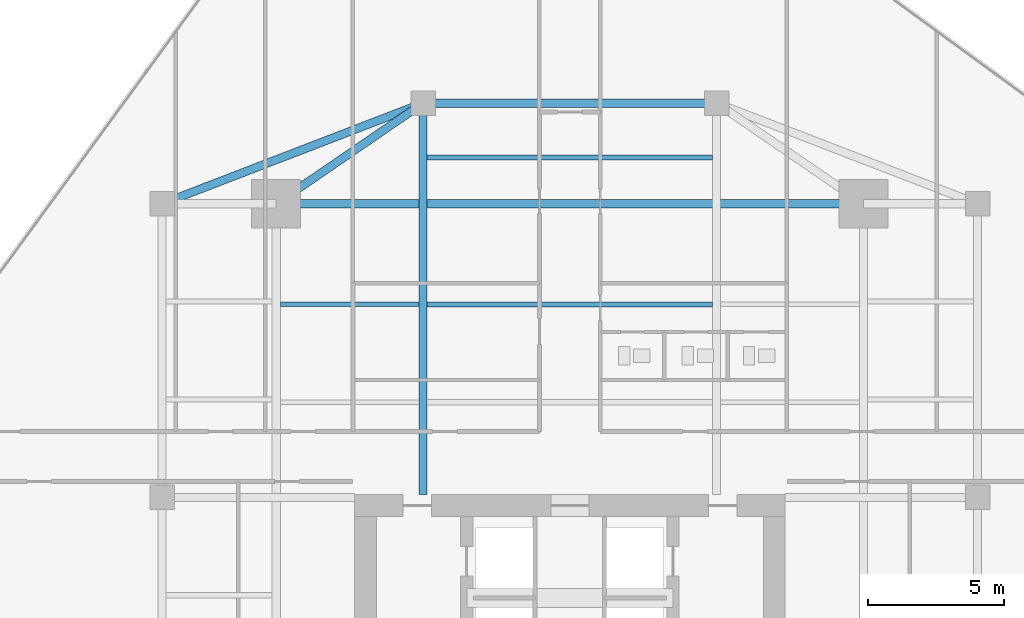
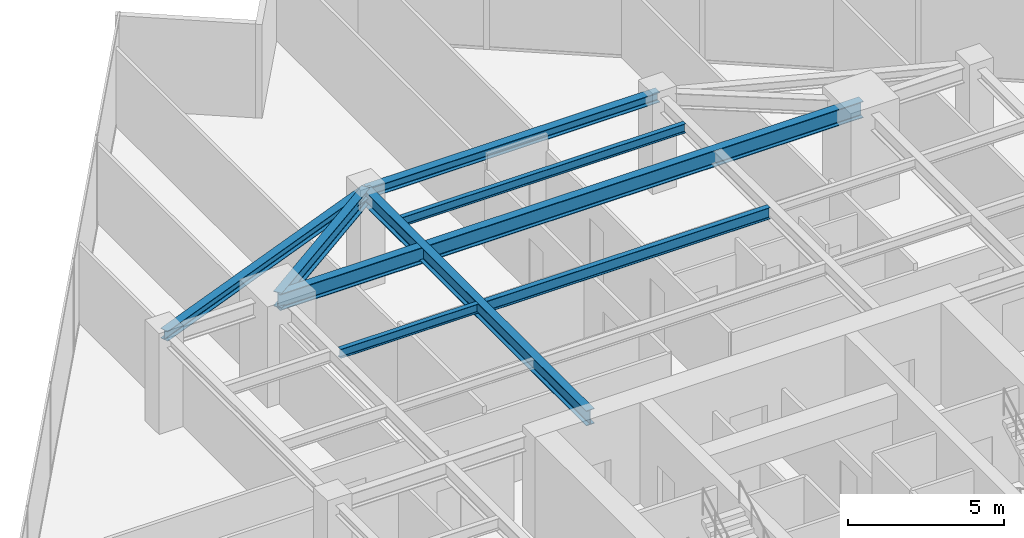
# One storey, part 14 of 25: 8 beams.
"""IFC4 building model written with IfcOpenShell, lengths in metres."""

from ifc_helpers import new_model, si_unit, direction, frame, origin, origin_2d, place, context, subcontext, project, spatial, i_section, extrude, source, transform, mapped, material, material_profile, profile_set, type_object, type_shapes, element, save


model = new_model("IFC4")

# Units and contexts
model_context = context("Model", 3, precision=1e-05, world=origin(), true_north=direction((0.0, 1.0)))
body_context = subcontext(model_context, "Body", "Model", "MODEL_VIEW")
ifc_project = project(units=[si_unit("LENGTHUNIT", "METRE"), si_unit("AREAUNIT", "SQUARE_METRE"), si_unit("VOLUMEUNIT", "CUBIC_METRE"), si_unit("PLANEANGLEUNIT", "RADIAN"), si_unit("MASSUNIT", "GRAM", prefix="KILO")], contexts=[model_context])

# Site, building, storey
site_placement = place(None, origin())
site = spatial("IfcSite", under=ifc_project, at=site_placement, CompositionType="ELEMENT")
building_placement = place(site_placement, origin())
building = spatial("IfcBuilding", under=site, at=building_placement, Name="Krantzveldt Concourse Tower", CompositionType="ELEMENT")
storey_placement = place(building_placement, frame((0.0, 0.0, 193.60009765625)))
storey = spatial("IfcBuildingStorey", under=building, at=storey_placement, Name="L47", CompositionType="ELEMENT", Elevation=193.60009765625)

# Beams
ifc_material = material(Name="Steel S355JR", Category="steel")
ifc_material_profile_1 = material_profile(ifc_material, i_section(OverallWidth=0.300048828125, OverallDepth=0.639892578125, WebThickness=0.013427734375, FlangeThickness=0.02587890625, FilletRadius=0.027099609375, at=origin_2d()), Name="Steel S355JR", Category="steel")
ifc_profile_set_1 = profile_set([ifc_material_profile_1], Name="Steel S355JR - HEA 650")
beam_type_1 = type_object("IfcBeamType", Name="BM-B-HEA650", PredefinedType="BEAM", material=ifc_profile_set_1)
shared_shape_1 = source(origin(), body_context, "Body", "SweptSolid", [
    extrude(i_section(OverallWidth=0.300048828125, OverallDepth=0.639892578125, WebThickness=0.013427734375, FlangeThickness=0.02587890625, FilletRadius=0.027099609375, at=origin_2d()), origin(), (0.0, 0.0, 1.0), 21.60009765625),
])
type_shapes(beam_type_1, [shared_shape_1])
beam_1_placement = place(storey_placement, frame((25.199951171875, 37.5, 3.349853515625), z_axis=(1.0, 0.0, 0.0), x_axis=(0.0, 1.0, 0.0)))
element("IfcBeam", 1, at=beam_1_placement, inside=storey, type_object=beam_type_1, Name="L47 Tower Girder BG-MN", PredefinedType="BEAM", context=body_context, shape_type="MappedRepresentation", body=[
    mapped(shared_shape_1, transform((0.0, 0.0, 0.0), x_axis=(1.0, 0.0, 0.0), y_axis=(0.0, 1.0, 0.0), z_axis=(0.0, 0.0, 1.0), scale=1.0)),
])
ifc_material_profile_2 = material_profile(ifc_material, i_section(OverallWidth=0.300048828125, OverallDepth=0.590087890625, WebThickness=0.012939453125, FlangeThickness=0.02490234375, FilletRadius=0.027099609375, at=origin_2d()), Name="Steel S355JR", Category="steel")
ifc_profile_set_2 = profile_set([ifc_material_profile_2], Name="Steel S355JR - HEA 600")
beam_type_2 = type_object("IfcBeamType", Name="BM-B-HEA600", PredefinedType="BEAM", material=ifc_profile_set_2)
shared_shape_2 = source(origin(), body_context, "Body", "SweptSolid", [
    extrude(i_section(OverallWidth=0.300048828125, OverallDepth=0.590087890625, WebThickness=0.012939453125, FlangeThickness=0.02490234375, FilletRadius=0.027099609375, at=origin_2d()), origin(), (0.0, 0.0, 1.0), 14.39990234375),
])
beam_2_placement = place(storey_placement, frame((30.60009765625, 26.800048828125, 3.375), z_axis=(0.0, 1.0, 0.0), x_axis=(-1.0, 0.0, 0.0)))
element("IfcBeam", 2, at=beam_2_placement, inside=storey, type_object=beam_type_2, Name="L47 Tower Girder BG-CNW", PredefinedType="BEAM", context=body_context, shape_type="MappedRepresentation", body=[
    mapped(shared_shape_2, transform((0.0, 0.0, 0.0), x_axis=(1.0, 0.0, 0.0), y_axis=(0.0, 1.0, 0.0), z_axis=(0.0, 0.0, 1.0), scale=1.0)),
])
shared_shape_3 = source(origin(), body_context, "Body", "SweptSolid", [
    extrude(i_section(OverallWidth=0.300048828125, OverallDepth=0.590087890625, WebThickness=0.012939453125, FlangeThickness=0.02490234375, FilletRadius=0.027099609375, at=origin_2d()), origin(), (0.0, 0.0, 1.0), 6.546142578125),
])
type_shapes(beam_type_2, [shared_shape_2, shared_shape_3])
beam_3_placement = place(storey_placement, frame((25.199951171875, 37.5, 3.375), z_axis=(0.824942999484, 0.565215930068, 0.0), x_axis=(-0.565215930068, 0.824942999484, 0.0)))
element("IfcBeam", 3, at=beam_3_placement, inside=storey, type_object=beam_type_2, Name="L47 Tower Girder BR-RL4", PredefinedType="BEAM", context=body_context, shape_type="MappedRepresentation", body=[
    mapped(shared_shape_3, transform((0.0, 0.0, 0.0), x_axis=(1.0, 0.0, 0.0), y_axis=(0.0, 1.0, 0.0), z_axis=(0.0, 0.0, 1.0), scale=1.0)),
])
ifc_material_profile_3 = material_profile(ifc_material, i_section(OverallWidth=0.18994140625, OverallDepth=0.449951171875, WebThickness=0.009521484375, FlangeThickness=0.0146484375, FilletRadius=0.02099609375, at=origin_2d()), Name="Steel S355JR", Category="steel")
ifc_profile_set_3 = profile_set([ifc_material_profile_3], Name="Steel S355JR - IPE 450")
beam_type_3 = type_object("IfcBeamType", Name="BM-J-IPE450", PredefinedType="JOIST", material=ifc_profile_set_3)
shared_shape_4 = source(origin(), body_context, "Body", "SweptSolid", [
    extrude(i_section(OverallWidth=0.18994140625, OverallDepth=0.449951171875, WebThickness=0.009521484375, FlangeThickness=0.0146484375, FilletRadius=0.02099609375, at=origin_2d()), origin(), (0.0, 0.0, 1.0), 10.5),
])
type_shapes(beam_type_3, [shared_shape_4])
beam_4_placement = place(storey_placement, frame((30.75, 33.800048828125, 3.44482421875), z_axis=(1.0, 0.0, 0.0), x_axis=(0.0, 1.0, 0.0)))
element("IfcBeam", 4, at=beam_4_placement, inside=storey, type_object=beam_type_3, Name="L47 Secondary Floor Joist JN-C2", PredefinedType="JOIST", context=body_context, shape_type="MappedRepresentation", body=[
    mapped(shared_shape_4, transform((0.0, 0.0, 0.0), x_axis=(1.0, 0.0, 0.0), y_axis=(0.0, 1.0, 0.0), z_axis=(0.0, 0.0, 1.0), scale=1.0)),
])
ifc_material_profile_4 = material_profile(ifc_material, i_section(OverallWidth=0.300048828125, OverallDepth=0.389892578125, WebThickness=0.010986328125, FlangeThickness=0.01904296875, FilletRadius=0.027099609375, at=origin_2d()), Name="Steel S355JR", Category="steel")
ifc_profile_set_4 = profile_set([ifc_material_profile_4], Name="Steel S355JR - HEA 400")
beam_type_4 = type_object("IfcBeamType", Name="BM-SP-HEA400", PredefinedType="SPANDREL", material=ifc_profile_set_4)
shared_shape_5 = source(origin(), body_context, "Body", "SweptSolid", [
    extrude(i_section(OverallWidth=0.300048828125, OverallDepth=0.389892578125, WebThickness=0.010986328125, FlangeThickness=0.01904296875, FilletRadius=0.027099609375, at=origin_2d()), origin(), (0.0, 0.0, 1.0), 10.288330078125),
])
beam_5_placement = place(storey_placement, frame((21.0, 37.5, 3.474853515625), z_axis=(0.933097690408, 0.359622997257, 0.0), x_axis=(-0.359622997257, 0.933097690408, 0.0)))
element("IfcBeam", 5, at=beam_5_placement, inside=storey, type_object=beam_type_4, Name="L47 Tower Girder SP-R03", PredefinedType="SPANDREL", context=body_context, shape_type="MappedRepresentation", body=[
    mapped(shared_shape_5, transform((0.0, 0.0, 0.0), x_axis=(1.0, 0.0, 0.0), y_axis=(0.0, 1.0, 0.0), z_axis=(0.0, 0.0, 1.0), scale=1.0)),
])
shared_shape_6 = source(origin(), body_context, "Body", "SweptSolid", [
    extrude(i_section(OverallWidth=0.300048828125, OverallDepth=0.389892578125, WebThickness=0.010986328125, FlangeThickness=0.01904296875, FilletRadius=0.027099609375, at=origin_2d()), origin(), (0.0, 0.0, 1.0), 10.7998046875),
])
type_shapes(beam_type_4, [shared_shape_5, shared_shape_6])
beam_6_placement = place(storey_placement, frame((30.60009765625, 41.199951171875, 3.474853515625), z_axis=(1.0, 0.0, 0.0), x_axis=(0.0, 1.0, 0.0)))
element("IfcBeam", 6, at=beam_6_placement, inside=storey, type_object=beam_type_4, Name="L47 Tower Girder SP-R04", PredefinedType="SPANDREL", context=body_context, shape_type="MappedRepresentation", body=[
    mapped(shared_shape_6, transform((0.0, 0.0, 0.0), x_axis=(1.0, 0.0, 0.0), y_axis=(0.0, 1.0, 0.0), z_axis=(0.0, 0.0, 1.0), scale=1.0)),
])
ifc_material_profile_5 = material_profile(ifc_material, i_section(OverallWidth=0.169921875, OverallDepth=0.360107421875, WebThickness=0.008056640625, FlangeThickness=0.0126953125, FilletRadius=0.01806640625, at=origin_2d()), Name="Steel S355JR", Category="steel")
ifc_profile_set_5 = profile_set([ifc_material_profile_5], Name="Steel S355JR - IPE 360")
beam_type_5 = type_object("IfcBeamType", Name="BM-J-IPE360", PredefinedType="JOIST", material=ifc_profile_set_5)
shared_shape_7 = source(origin(), body_context, "Body", "SweptSolid", [
    extrude(i_section(OverallWidth=0.169921875, OverallDepth=0.360107421875, WebThickness=0.008056640625, FlangeThickness=0.0126953125, FilletRadius=0.01806640625, at=origin_2d()), origin(), (0.0, 0.0, 1.0), 10.5),
])
beam_7_placement = place(storey_placement, frame((30.75, 39.199951171875, 3.489990234375), z_axis=(1.0, 0.0, 0.0), x_axis=(0.0, 1.0, 0.0)))
element("IfcBeam", 7, at=beam_7_placement, inside=storey, type_object=beam_type_5, Name="L47 Secondary Floor Joist JN-C3", PredefinedType="JOIST", context=body_context, shape_type="MappedRepresentation", body=[
    mapped(shared_shape_7, transform((0.0, 0.0, 0.0), x_axis=(1.0, 0.0, 0.0), y_axis=(0.0, 1.0, 0.0), z_axis=(0.0, 0.0, 1.0), scale=1.0)),
])
shared_shape_8 = source(origin(), body_context, "Body", "SweptSolid", [
    extrude(i_section(OverallWidth=0.169921875, OverallDepth=0.360107421875, WebThickness=0.008056640625, FlangeThickness=0.0126953125, FilletRadius=0.01806640625, at=origin_2d()), origin(), (0.0, 0.0, 1.0), 5.099853515625),
])
type_shapes(beam_type_5, [shared_shape_7, shared_shape_8])
beam_8_placement = place(storey_placement, frame((25.35009765625, 33.800048828125, 3.489990234375), z_axis=(1.0, 0.0, 0.0), x_axis=(0.0, 1.0, 0.0)))
element("IfcBeam", 8, at=beam_8_placement, inside=storey, type_object=beam_type_5, Name="L47 Secondary Floor Joist JN-W2", PredefinedType="JOIST", context=body_context, shape_type="MappedRepresentation", body=[
    mapped(shared_shape_8, transform((0.0, 0.0, 0.0), x_axis=(1.0, 0.0, 0.0), y_axis=(0.0, 1.0, 0.0), z_axis=(0.0, 0.0, 1.0), scale=1.0)),
])

save(model, "model.ifc")
